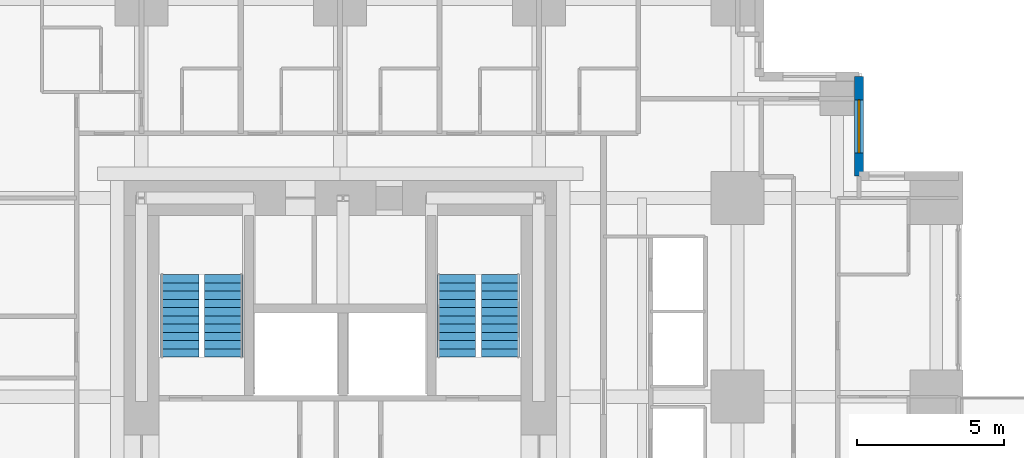
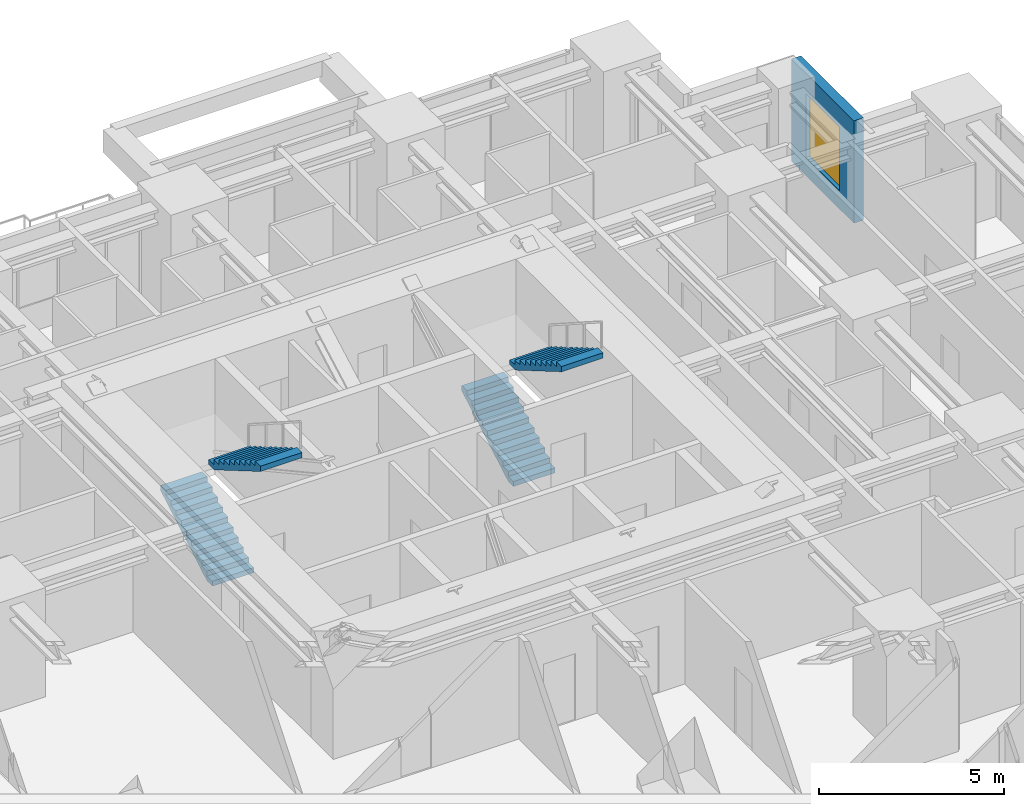
# One storey, part 12 of 13: 4 stair flights, 1 wall, 1 window, 1 opening, 2 elements without a shape of their own.
"""IFC4 building model written with IfcOpenShell, lengths in metres."""

from ifc_helpers import new_model, si_unit, direction, frame, frame_2d, origin, place, context, subcontext, project, spatial, polyline, rectangle, outline, extrude, material, layer, layer_set, type_object, element, fill, aggregate, save


model = new_model("IFC4")

# Units and contexts
model_context = context("Model", 3, precision=1e-05, world=origin(), true_north=direction((0.0, 1.0)))
body_context = subcontext(model_context, "Body", "Model", "MODEL_VIEW")
ifc_project = project(units=[si_unit("LENGTHUNIT", "METRE"), si_unit("AREAUNIT", "SQUARE_METRE"), si_unit("VOLUMEUNIT", "CUBIC_METRE"), si_unit("PLANEANGLEUNIT", "RADIAN"), si_unit("MASSUNIT", "GRAM", prefix="KILO")], contexts=[model_context])

# Site, building, storey
site_placement = place(None, origin())
site = spatial("IfcSite", under=ifc_project, at=site_placement, CompositionType="ELEMENT")
building_placement = place(site_placement, origin())
building = spatial("IfcBuilding", under=site, at=building_placement, Name="Nyansa Garden Tower", CompositionType="ELEMENT")
storey_placement = place(building_placement, frame((0.0, 0.0, 87.300048828125)))
storey = spatial("IfcBuildingStorey", under=building, at=storey_placement, Name="L23", CompositionType="ELEMENT", Elevation=87.300048828125)

# Wall, opening, window
ifc_material_1 = material(Name="Turquoise glazed tile on concrete blockwork", Category="masonry")
ifc_layer = layer(ifc_material_1, 0.300048828125)
ifc_layer_set = layer_set([ifc_layer], Name="Tiled corner wall TW300")
wall_type = type_object("IfcWallType", Name="Tiled corner wall TW300", PredefinedType="SOLIDWALL", material=ifc_layer_set)
wall_placement = place(storey_placement, frame((37.875, 27.75, 0.0), z_axis=(0.0, 0.0, 1.0), x_axis=(0.0, 1.0, 0.0)))
wall = element("IfcWall", 1, at=wall_placement, inside=storey, type_object=wall_type, Name="Tiled corner wall L23", PredefinedType="SOLIDWALL", context=body_context, shape_type="SweptSolid", body=[
    extrude(rectangle(XDim=3.375, YDim=0.300048828125, at=frame_2d((1.6875, 0.0))), origin(), (0.0, 0.0, 1.0), 3.375),
])
opening_placement = place(wall_placement, frame((0.78759765625, 0.0, 0.60009765625)))
opening = element("IfcOpeningElement", 2, at=opening_placement, cuts=wall, Name="Opening W2", PredefinedType="OPENING", context=body_context, shape_type="SweptSolid", body=[
    extrude(rectangle(XDim=1.800048828125, YDim=2.10009765625, at=frame_2d((0.89990234375, 1.050048828125))), frame((0.0, 0.159912109375, 0.0), z_axis=(0.0, -1.0, 0.0), x_axis=(1.0, 0.0, 0.0)), (0.0, 0.0, 1.0), 0.320068359375),
])
ifc_material_2 = material(Name="Black aluminium frame, dark tinted double glazing", Category="aluminium")
window_type = type_object("IfcWindowType", Name="Window W2 1800x2100", PartitioningType="SINGLE_PANEL", PredefinedType="WINDOW", material=ifc_material_2)
window_placement = place(opening_placement, origin())
window = element("IfcWindow", 3, at=window_placement, inside=storey, type_object=window_type, Name="Corner window L23", OverallHeight=2.10009765625, OverallWidth=1.800048828125, PartitioningType="SINGLE_PANEL", PredefinedType="WINDOW", context=body_context, shape_type="SweptSolid", body=[
    extrude(rectangle(XDim=1.800048828125, YDim=2.10009765625, at=frame_2d((0.89990234375, 1.050048828125))), frame((0.0, 0.030029296875, 0.0), z_axis=(0.0, -1.0, 0.0), x_axis=(1.0, 0.0, 0.0)), (0.0, 0.0, 1.0), 0.06005859375),
])
fill(opening, window)

# Stair, stair flights
ifc_material_3 = material(Name="Precast concrete C40/50", Category="concrete")
stair_type_1 = type_object("IfcStairType", Name="Stair S1 164x280", PredefinedType="HALF_TURN_STAIR", material=ifc_material_3)
stair_1_placement = place(storey_placement, origin())
stair_1 = element("IfcStair", 4, at=stair_1_placement, inside=storey, type_object=stair_type_1, Name="Stair S1 L23", PredefinedType="HALF_TURN_STAIR")
ifc_material_4 = material(Name="Precast concrete C40/50", Category="concrete")
stair_flight_type_1 = type_object("IfcStairFlightType", Name="Stair flight S1 164x280x11", PredefinedType="STRAIGHT", material=ifc_material_4)
stair_flight_1_placement = place(storey_placement, frame((14.800048828125, 21.60009765625, 0.0), z_axis=(0.0, 0.0, 1.0), x_axis=(0.0, 1.0, 0.0)))
stair_flight_1 = element("IfcStairFlight", 5, at=stair_flight_1_placement, type_object=stair_flight_type_1, Name="S1 flight 1", NumberOfRisers=11, NumberOfTreads=10, PredefinedType="STRAIGHT", RiserHeight=0.163636364, TreadLength=0.28, context=body_context, shape_type="SweptSolid", body=[
    extrude(outline(polyline([(0.0, 0.0), (0.0, 0.16357421875), (0.280029296875, 0.16357421875), (0.280029296875, 0.327392578125), (0.56005859375, 0.327392578125), (0.56005859375, 0.490966796875), (0.840087890625, 0.490966796875), (0.840087890625, 0.654541015625), (1.1201171875, 0.654541015625), (1.1201171875, 0.818115234375), (1.39990234375, 0.818115234375), (1.39990234375, 0.98193359375), (1.679931640625, 0.98193359375), (1.679931640625, 1.1455078125), (1.9599609375, 1.1455078125), (1.9599609375, 1.30908203125), (2.239990234375, 1.30908203125), (2.239990234375, 1.47265625), (2.52001953125, 1.47265625), (2.52001953125, 1.636474609375), (2.800048828125, 1.636474609375), (2.800048828125, 1.800048828125), (2.800048828125, 1.462646484375), (0.297119140625, 0.0), (0.0, 0.0)])), frame((0.0, 0.64990234375, 0.0), z_axis=(0.0, -1.0, 0.0), x_axis=(1.0, 0.0, 0.0)), (0.0, 0.0, 1.0), 1.300048828125),
])
stair_flight_2_placement = place(storey_placement, frame((16.300048828125, 24.39990234375, 1.800048828125), z_axis=(0.0, 0.0, 1.0), x_axis=(0.0, -1.0, 0.0)))
stair_flight_2 = element("IfcStairFlight", 6, at=stair_flight_2_placement, type_object=stair_flight_type_1, Name="S1 flight 2", NumberOfRisers=11, NumberOfTreads=10, PredefinedType="STRAIGHT", RiserHeight=0.163636364, TreadLength=0.28, context=body_context, shape_type="SweptSolid", body=[
    extrude(outline(polyline([(0.0, 0.0), (0.0, 0.16357421875), (0.280029296875, 0.16357421875), (0.280029296875, 0.327392578125), (0.56005859375, 0.327392578125), (0.56005859375, 0.490966796875), (0.840087890625, 0.490966796875), (0.840087890625, 0.654541015625), (1.1201171875, 0.654541015625), (1.1201171875, 0.818115234375), (1.39990234375, 0.818115234375), (1.39990234375, 0.98193359375), (1.679931640625, 0.98193359375), (1.679931640625, 1.1455078125), (1.9599609375, 1.1455078125), (1.9599609375, 1.30908203125), (2.239990234375, 1.30908203125), (2.239990234375, 1.47265625), (2.52001953125, 1.47265625), (2.52001953125, 1.636474609375), (2.800048828125, 1.636474609375), (2.800048828125, 1.800048828125), (2.800048828125, 1.462646484375), (0.297119140625, 0.0), (0.0, 0.0)])), frame((0.0, 0.64990234375, 0.0), z_axis=(0.0, -1.0, 0.0), x_axis=(1.0, 0.0, 0.0)), (0.0, 0.0, 1.0), 1.300048828125),
])
aggregate(stair_1, [stair_flight_1, stair_flight_2])

ifc_material_5 = material(Name="Precast concrete C40/50", Category="concrete")
stair_type_2 = type_object("IfcStairType", Name="Stair S2 164x280", PredefinedType="HALF_TURN_STAIR", material=ifc_material_5)
stair_2_placement = place(storey_placement, origin())
stair_2 = element("IfcStair", 7, at=stair_2_placement, inside=storey, type_object=stair_type_2, Name="Stair S2 L23", PredefinedType="HALF_TURN_STAIR")
ifc_material_6 = material(Name="Precast concrete C40/50", Category="concrete")
stair_flight_type_2 = type_object("IfcStairFlightType", Name="Stair flight S2 164x280x11", PredefinedType="STRAIGHT", material=ifc_material_6)
stair_flight_3_placement = place(storey_placement, frame((24.199951171875, 21.60009765625, 0.0), z_axis=(0.0, 0.0, 1.0), x_axis=(0.0, 1.0, 0.0)))
stair_flight_3 = element("IfcStairFlight", 8, at=stair_flight_3_placement, type_object=stair_flight_type_2, Name="S2 flight 1", NumberOfRisers=11, NumberOfTreads=10, PredefinedType="STRAIGHT", RiserHeight=0.163636364, TreadLength=0.28, context=body_context, shape_type="SweptSolid", body=[
    extrude(outline(polyline([(0.0, 0.0), (0.0, 0.16357421875), (0.280029296875, 0.16357421875), (0.280029296875, 0.327392578125), (0.56005859375, 0.327392578125), (0.56005859375, 0.490966796875), (0.840087890625, 0.490966796875), (0.840087890625, 0.654541015625), (1.1201171875, 0.654541015625), (1.1201171875, 0.818115234375), (1.39990234375, 0.818115234375), (1.39990234375, 0.98193359375), (1.679931640625, 0.98193359375), (1.679931640625, 1.1455078125), (1.9599609375, 1.1455078125), (1.9599609375, 1.30908203125), (2.239990234375, 1.30908203125), (2.239990234375, 1.47265625), (2.52001953125, 1.47265625), (2.52001953125, 1.636474609375), (2.800048828125, 1.636474609375), (2.800048828125, 1.800048828125), (2.800048828125, 1.462646484375), (0.297119140625, 0.0), (0.0, 0.0)])), frame((0.0, 0.64990234375, 0.0), z_axis=(0.0, -1.0, 0.0), x_axis=(1.0, 0.0, 0.0)), (0.0, 0.0, 1.0), 1.300048828125),
])
stair_flight_4_placement = place(storey_placement, frame((25.699951171875, 24.39990234375, 1.800048828125), z_axis=(0.0, 0.0, 1.0), x_axis=(0.0, -1.0, 0.0)))
stair_flight_4 = element("IfcStairFlight", 9, at=stair_flight_4_placement, type_object=stair_flight_type_2, Name="S2 flight 2", NumberOfRisers=11, NumberOfTreads=10, PredefinedType="STRAIGHT", RiserHeight=0.163636364, TreadLength=0.28, context=body_context, shape_type="SweptSolid", body=[
    extrude(outline(polyline([(0.0, 0.0), (0.0, 0.16357421875), (0.280029296875, 0.16357421875), (0.280029296875, 0.327392578125), (0.56005859375, 0.327392578125), (0.56005859375, 0.490966796875), (0.840087890625, 0.490966796875), (0.840087890625, 0.654541015625), (1.1201171875, 0.654541015625), (1.1201171875, 0.818115234375), (1.39990234375, 0.818115234375), (1.39990234375, 0.98193359375), (1.679931640625, 0.98193359375), (1.679931640625, 1.1455078125), (1.9599609375, 1.1455078125), (1.9599609375, 1.30908203125), (2.239990234375, 1.30908203125), (2.239990234375, 1.47265625), (2.52001953125, 1.47265625), (2.52001953125, 1.636474609375), (2.800048828125, 1.636474609375), (2.800048828125, 1.800048828125), (2.800048828125, 1.462646484375), (0.297119140625, 0.0), (0.0, 0.0)])), frame((0.0, 0.64990234375, 0.0), z_axis=(0.0, -1.0, 0.0), x_axis=(1.0, 0.0, 0.0)), (0.0, 0.0, 1.0), 1.300048828125),
])
aggregate(stair_2, [stair_flight_3, stair_flight_4])

save(model, "model.ifc")
